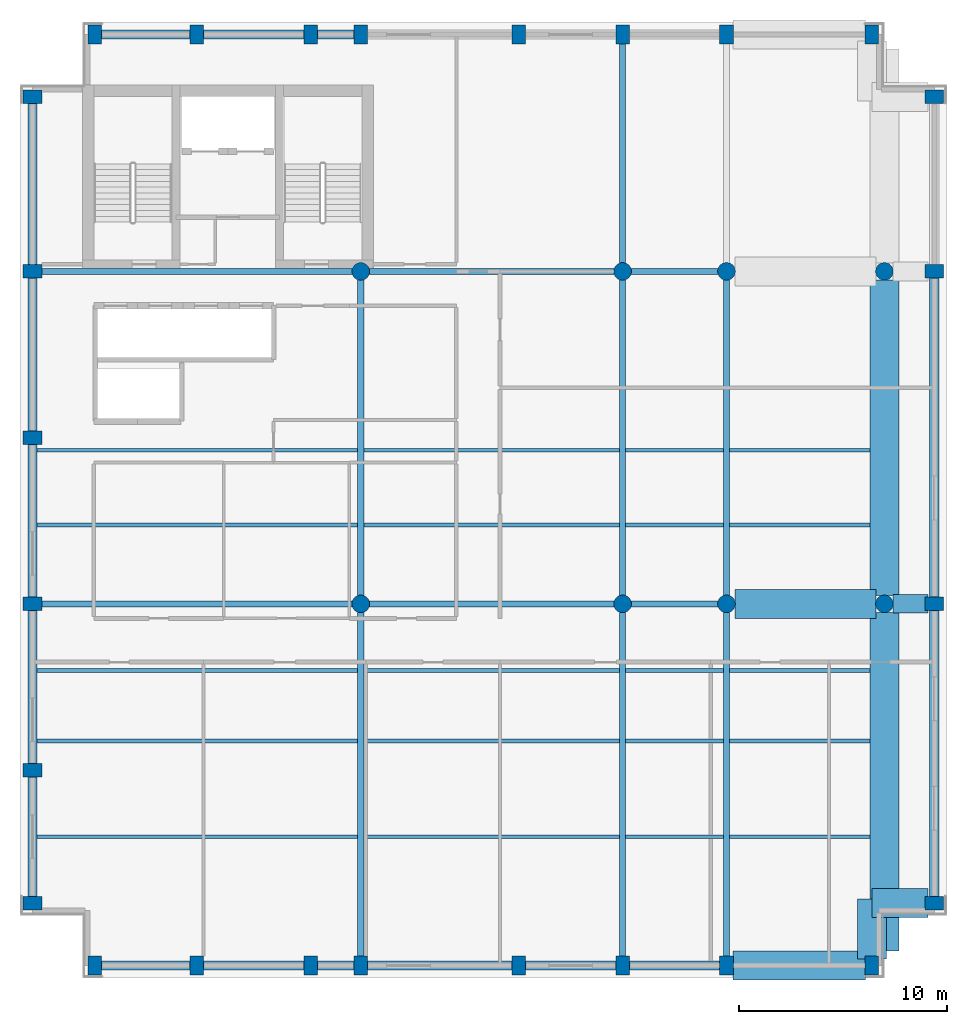
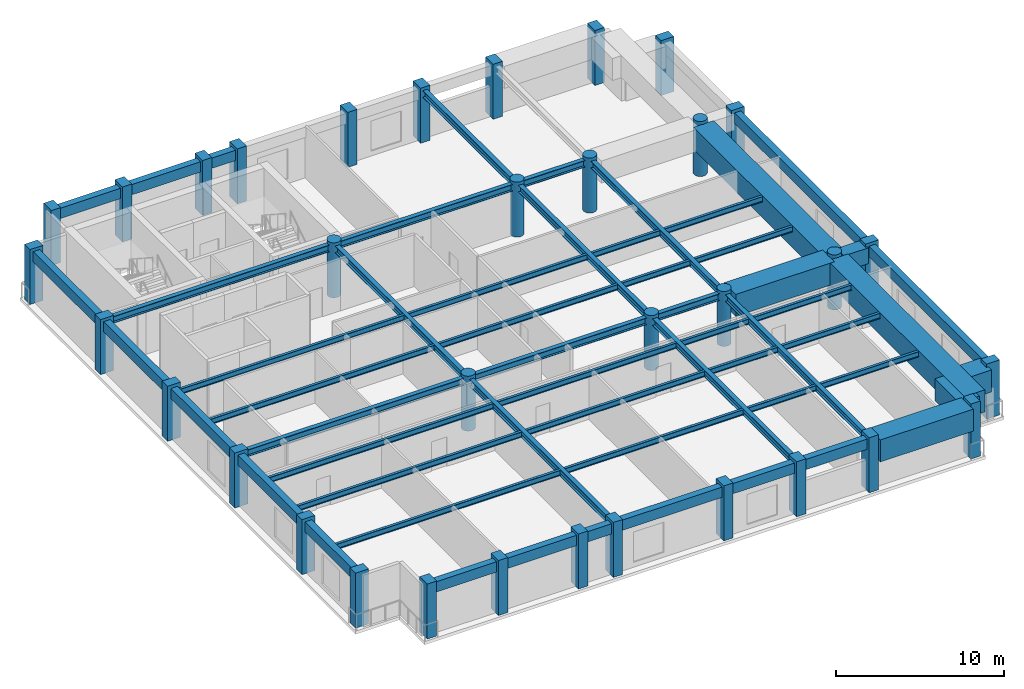
# One storey, part 1 of 8: 56 beams, 34 columns.
"""IFC4 building model written with IfcOpenShell, lengths in metres."""

from ifc_helpers import new_model, si_unit, direction, frame, origin, origin_2d, place, context, subcontext, project, spatial, rectangle, circle, i_section, extrude, material, material_profile, profile_set, type_object, element, save


model = new_model("IFC4")

# Units and contexts
model_context = context("Model", 3, precision=1e-05, world=origin(), true_north=direction((0.0, 1.0)))
body_context = subcontext(model_context, "Body", "Model", "MODEL_VIEW")
ifc_project = project(units=[si_unit("LENGTHUNIT", "METRE"), si_unit("AREAUNIT", "SQUARE_METRE"), si_unit("VOLUMEUNIT", "CUBIC_METRE"), si_unit("PLANEANGLEUNIT", "RADIAN"), si_unit("MASSUNIT", "GRAM", prefix="KILO")], contexts=[model_context])

# Site, building, storey
site_placement = place(None, origin())
site = spatial("IfcSite", under=ifc_project, at=site_placement, CompositionType="ELEMENT")
building_placement = place(site_placement, origin())
building = spatial("IfcBuilding", under=site, at=building_placement, Name="Sulina Concourse Tower", CompositionType="ELEMENT")
storey_placement = place(building_placement, frame((0.0, 0.0, 293.0)))
storey = spatial("IfcBuildingStorey", under=building, at=storey_placement, Name="L71", CompositionType="ELEMENT", Elevation=293.0)

# Columns
ifc_material_1 = material(Name="Precast concrete C50/60", Category="concrete")
ifc_material_profile_1 = material_profile(ifc_material_1, rectangle(XDim=0.64990234375, YDim=0.89990234375, at=origin_2d()), Name="PC 650x900")
ifc_profile_set_1 = profile_set([ifc_material_profile_1], Name="Precast concrete C50/60")
column_type_1 = type_object("IfcColumnType", Name="Precast Stepped Crown Pier 650x900", PredefinedType="COLUMN", material=ifc_profile_set_1)
for number, where, z_axis, x_axis, name in (
    (1, (3.60009765625, 0.60009765625, 0.0), (0.0, 0.0, 1.0), (1.0, 0.0, 0.0), "L71 structural column TP-S-36"),
    (2, (3.60009765625, 45.39990234375, 0.0), (0.0, 0.0, 1.0), (1.0, 0.0, 0.0), "L71 structural column TP-N-36"),
    (3, (8.5, 0.60009765625, 0.0), (0.0, 0.0, 1.0), (1.0, 0.0, 0.0), "L71 structural column TP-S-85"),
    (4, (8.5, 45.39990234375, 0.0), (0.0, 0.0, 1.0), (1.0, 0.0, 0.0), "L71 structural column TP-N-85"),
    (5, (14.0, 0.60009765625, 0.0), (0.0, 0.0, 1.0), (1.0, 0.0, 0.0), "L71 structural column TP-S-140"),
    (6, (14.0, 45.39990234375, 0.0), (0.0, 0.0, 1.0), (1.0, 0.0, 0.0), "L71 structural column TP-N-140"),
    (7, (16.39990234375, 0.60009765625, 0.0), (0.0, 0.0, 1.0), (1.0, 0.0, 0.0), "L71 structural column TP-S-164"),
    (8, (16.39990234375, 45.39990234375, 0.0), (0.0, 0.0, 1.0), (1.0, 0.0, 0.0), "L71 structural column TP-N-164"),
    (9, (24.0, 0.60009765625, 0.0), (0.0, 0.0, 1.0), (1.0, 0.0, 0.0), "L71 structural column TP-S-240"),
    (10, (24.0, 45.39990234375, 0.0), (0.0, 0.0, 1.0), (1.0, 0.0, 0.0), "L71 structural column TP-N-240"),
    (11, (29.0, 0.60009765625, 0.0), (0.0, 0.0, 1.0), (1.0, 0.0, 0.0), "L71 structural column TP-S-290"),
    (12, (29.0, 45.39990234375, 0.0), (0.0, 0.0, 1.0), (1.0, 0.0, 0.0), "L71 structural column TP-N-290"),
    (13, (34.0, 0.60009765625, 0.0), (0.0, 0.0, 1.0), (1.0, 0.0, 0.0), "L71 structural column TP-S-340"),
    (14, (34.0, 45.39990234375, 0.0), (0.0, 0.0, 1.0), (1.0, 0.0, 0.0), "L71 structural column TP-N-340"),
    (15, (41.0, 0.60009765625, 0.0), (0.0, 0.0, 1.0), (1.0, 0.0, 0.0), "L71 structural column TP-SC-410"),
    (16, (41.0, 45.39990234375, 0.0), (0.0, 0.0, 1.0), (1.0, 0.0, 0.0), "L71 structural column TP-NC-410"),
    (17, (0.60009765625, 3.60009765625, 0.0), (0.0, 0.0, 1.0), (0.0, 1.0, 0.0), "L71 structural column TP-W-36"),
    (18, (44.0, 3.60009765625, 0.0), (0.0, 0.0, 1.0), (0.0, 1.0, 0.0), "L71 structural column TP-E-36"),
    (19, (0.60009765625, 10.0, 0.0), (0.0, 0.0, 1.0), (0.0, 1.0, 0.0), "L71 structural column TP-W-100"),
    (20, (0.60009765625, 18.0, 0.0), (0.0, 0.0, 1.0), (0.0, 1.0, 0.0), "L71 structural column TP-W-180"),
    (21, (44.0, 18.0, 0.0), (0.0, 0.0, 1.0), (0.0, 1.0, 0.0), "L71 structural column TP-E-180"),
    (22, (0.60009765625, 26.0, 0.0), (0.0, 0.0, 1.0), (0.0, 1.0, 0.0), "L71 structural column TP-W-260"),
    (23, (0.60009765625, 34.0, 0.0), (0.0, 0.0, 1.0), (0.0, 1.0, 0.0), "L71 structural column TP-W-340"),
    (24, (44.0, 34.0, 0.0), (0.0, 0.0, 1.0), (0.0, 1.0, 0.0), "L71 structural column TP-E-340"),
    (25, (0.60009765625, 42.39990234375, 0.0), (0.0, 0.0, 1.0), (0.0, 1.0, 0.0), "L71 structural column TP-W-424"),
    (26, (44.0, 42.39990234375, 0.0), (0.0, 0.0, 1.0), (0.0, 1.0, 0.0), "L71 structural column TP-E-424"),
):
    element("IfcColumn", number, at=place(storey_placement, frame(where, z_axis=z_axis, x_axis=x_axis)), inside=storey, type_object=column_type_1, Name=name, PredefinedType="COLUMN", context=body_context, shape_type="SweptSolid", body=[
        extrude(rectangle(XDim=0.64990234375, YDim=0.89990234375, at=origin_2d()), origin(), (0.0, 0.0, 1.0), 4.0),
    ])
ifc_material_2 = material(Name="Concrete C50/60", Category="concrete")
ifc_material_profile_2 = material_profile(ifc_material_2, circle(Radius=0.425048828125, at=origin_2d()), Name="RC D850")
ifc_profile_set_2 = profile_set([ifc_material_profile_2], Name="Concrete C50/60")
column_type_2 = type_object("IfcColumnType", Name="Upper Interior Circular Column D850", PredefinedType="COLUMN", material=ifc_profile_set_2)
for number, where, z_axis, x_axis, name in (
    (27, (16.39990234375, 18.0, 0.0), (0.0, 0.0, 1.0), (1.0, 0.0, 0.0), "L71 structural column IC-M-164"),
    (28, (16.39990234375, 34.0, 0.0), (0.0, 0.0, 1.0), (1.0, 0.0, 0.0), "L71 structural column IC-N-164"),
    (29, (29.0, 18.0, 0.0), (0.0, 0.0, 1.0), (1.0, 0.0, 0.0), "L71 structural column IC-M-290"),
    (30, (29.0, 34.0, 0.0), (0.0, 0.0, 1.0), (1.0, 0.0, 0.0), "L71 structural column IC-N-290"),
    (31, (41.60009765625, 18.0, 0.0), (0.0, 0.0, 1.0), (1.0, 0.0, 0.0), "L71 structural column IC-M-416"),
    (32, (41.60009765625, 34.0, 0.0), (0.0, 0.0, 1.0), (1.0, 0.0, 0.0), "L71 structural column IC-N-416"),
    (33, (34.0, 18.0, 0.0), (0.0, 0.0, 1.0), (1.0, 0.0, 0.0), "L71 structural column IC-M-340"),
    (34, (34.0, 34.0, 0.0), (0.0, 0.0, 1.0), (1.0, 0.0, 0.0), "L71 structural column IC-N-340"),
):
    element("IfcColumn", number, at=place(storey_placement, frame(where, z_axis=z_axis, x_axis=x_axis)), inside=storey, type_object=column_type_2, Name=name, PredefinedType="COLUMN", context=body_context, shape_type="SweptSolid", body=[
        extrude(circle(Radius=0.425048828125, at=origin_2d()), origin(), (0.0, 0.0, 1.0), 4.0),
    ])

# Beams
ifc_material_3 = material(Name="Steel S355", Category="steel")
ifc_material_profile_3 = material_profile(ifc_material_3, i_section(OverallWidth=0.300048828125, OverallDepth=0.5, WebThickness=0.014404296875, FlangeThickness=0.028076171875, at=origin_2d()), Name="HE 500 B")
ifc_profile_set_3 = profile_set([ifc_material_profile_3], Name="Steel S355")
beam_type_1 = type_object("IfcBeamType", Name="Crown & Canopy Primary Girder HE500B", PredefinedType="BEAM", material=ifc_profile_set_3)
beam_1_placement = place(storey_placement, frame((0.905029296875, 18.0, 3.52490234375), z_axis=(1.0, 0.0, 0.0), x_axis=(0.0, 1.0, 0.0)))
element("IfcBeam", 35, at=beam_1_placement, inside=storey, type_object=beam_type_1, Name="FG-EW1-L71", PredefinedType="BEAM", context=body_context, shape_type="SweptSolid", body=[
    extrude(i_section(OverallWidth=0.300048828125, OverallDepth=0.5, WebThickness=0.014404296875, FlangeThickness=0.028076171875, at=origin_2d()), origin(), (0.0, 0.0, 1.0), 15.090087890625),
])
beam_2_placement = place(storey_placement, frame((16.804931640625, 18.0, 3.52490234375), z_axis=(1.0, 0.0, 0.0), x_axis=(0.0, 1.0, 0.0)))
element("IfcBeam", 36, at=beam_2_placement, inside=storey, type_object=beam_type_1, Name="FG-EW2-L71", PredefinedType="BEAM", context=body_context, shape_type="SweptSolid", body=[
    extrude(i_section(OverallWidth=0.300048828125, OverallDepth=0.5, WebThickness=0.014404296875, FlangeThickness=0.028076171875, at=origin_2d()), origin(), (0.0, 0.0, 1.0), 11.7900390625),
])
beam_3_placement = place(storey_placement, frame((29.405029296875, 18.0, 3.52490234375), z_axis=(1.0, 0.0, 0.0), x_axis=(0.0, 1.0, 0.0)))
element("IfcBeam", 37, at=beam_3_placement, inside=storey, type_object=beam_type_1, Name="FG-EW3-L71", PredefinedType="BEAM", context=body_context, shape_type="SweptSolid", body=[
    extrude(i_section(OverallWidth=0.300048828125, OverallDepth=0.5, WebThickness=0.014404296875, FlangeThickness=0.028076171875, at=origin_2d()), origin(), (0.0, 0.0, 1.0), 4.18994140625),
])
beam_4_placement = place(storey_placement, frame((0.905029296875, 34.0, 3.52490234375), z_axis=(1.0, 0.0, 0.0), x_axis=(0.0, 1.0, 0.0)))
element("IfcBeam", 38, at=beam_4_placement, inside=storey, type_object=beam_type_1, Name="FG-EWN1-L71", PredefinedType="BEAM", context=body_context, shape_type="SweptSolid", body=[
    extrude(i_section(OverallWidth=0.300048828125, OverallDepth=0.5, WebThickness=0.014404296875, FlangeThickness=0.028076171875, at=origin_2d()), origin(), (0.0, 0.0, 1.0), 15.090087890625),
])
beam_5_placement = place(storey_placement, frame((16.804931640625, 34.0, 3.52490234375), z_axis=(1.0, 0.0, 0.0), x_axis=(0.0, 1.0, 0.0)))
element("IfcBeam", 39, at=beam_5_placement, inside=storey, type_object=beam_type_1, Name="FG-EWN2-L71", PredefinedType="BEAM", context=body_context, shape_type="SweptSolid", body=[
    extrude(i_section(OverallWidth=0.300048828125, OverallDepth=0.5, WebThickness=0.014404296875, FlangeThickness=0.028076171875, at=origin_2d()), origin(), (0.0, 0.0, 1.0), 11.7900390625),
])
beam_6_placement = place(storey_placement, frame((29.405029296875, 34.0, 3.52490234375), z_axis=(1.0, 0.0, 0.0), x_axis=(0.0, 1.0, 0.0)))
element("IfcBeam", 40, at=beam_6_placement, inside=storey, type_object=beam_type_1, Name="FG-EWN3-L71", PredefinedType="BEAM", context=body_context, shape_type="SweptSolid", body=[
    extrude(i_section(OverallWidth=0.300048828125, OverallDepth=0.5, WebThickness=0.014404296875, FlangeThickness=0.028076171875, at=origin_2d()), origin(), (0.0, 0.0, 1.0), 4.18994140625),
])
beam_7_placement = place(storey_placement, frame((16.39990234375, 0.905029296875, 3.52490234375), z_axis=(0.0, 1.0, 0.0), x_axis=(-1.0, 0.0, 0.0)))
element("IfcBeam", 41, at=beam_7_placement, inside=storey, type_object=beam_type_1, Name="FG-NSA-16-L71", PredefinedType="BEAM", context=body_context, shape_type="SweptSolid", body=[
    extrude(i_section(OverallWidth=0.300048828125, OverallDepth=0.5, WebThickness=0.014404296875, FlangeThickness=0.028076171875, at=origin_2d()), origin(), (0.0, 0.0, 1.0), 16.68994140625),
])
beam_8_placement = place(storey_placement, frame((16.39990234375, 18.405029296875, 3.52490234375), z_axis=(0.0, 1.0, 0.0), x_axis=(-1.0, 0.0, 0.0)))
element("IfcBeam", 42, at=beam_8_placement, inside=storey, type_object=beam_type_1, Name="FG-NSB-16-L71", PredefinedType="BEAM", context=body_context, shape_type="SweptSolid", body=[
    extrude(i_section(OverallWidth=0.300048828125, OverallDepth=0.5, WebThickness=0.014404296875, FlangeThickness=0.028076171875, at=origin_2d()), origin(), (0.0, 0.0, 1.0), 15.18994140625),
])
beam_9_placement = place(storey_placement, frame((29.0, 0.905029296875, 3.52490234375), z_axis=(0.0, 1.0, 0.0), x_axis=(-1.0, 0.0, 0.0)))
element("IfcBeam", 43, at=beam_9_placement, inside=storey, type_object=beam_type_1, Name="FG-NSA-29-L71", PredefinedType="BEAM", context=body_context, shape_type="SweptSolid", body=[
    extrude(i_section(OverallWidth=0.300048828125, OverallDepth=0.5, WebThickness=0.014404296875, FlangeThickness=0.028076171875, at=origin_2d()), origin(), (0.0, 0.0, 1.0), 16.68994140625),
])
beam_10_placement = place(storey_placement, frame((29.0, 18.405029296875, 3.52490234375), z_axis=(0.0, 1.0, 0.0), x_axis=(-1.0, 0.0, 0.0)))
element("IfcBeam", 44, at=beam_10_placement, inside=storey, type_object=beam_type_1, Name="FG-NSB-29-L71", PredefinedType="BEAM", context=body_context, shape_type="SweptSolid", body=[
    extrude(i_section(OverallWidth=0.300048828125, OverallDepth=0.5, WebThickness=0.014404296875, FlangeThickness=0.028076171875, at=origin_2d()), origin(), (0.0, 0.0, 1.0), 15.18994140625),
])
beam_11_placement = place(storey_placement, frame((29.0, 34.405029296875, 3.52490234375), z_axis=(0.0, 1.0, 0.0), x_axis=(-1.0, 0.0, 0.0)))
element("IfcBeam", 45, at=beam_11_placement, inside=storey, type_object=beam_type_1, Name="FG-NSC-29-L71", PredefinedType="BEAM", context=body_context, shape_type="SweptSolid", body=[
    extrude(i_section(OverallWidth=0.300048828125, OverallDepth=0.5, WebThickness=0.014404296875, FlangeThickness=0.028076171875, at=origin_2d()), origin(), (0.0, 0.0, 1.0), 10.68994140625),
])
beam_12_placement = place(storey_placement, frame((34.0, 0.905029296875, 3.52490234375), z_axis=(0.0, 1.0, 0.0), x_axis=(-1.0, 0.0, 0.0)))
element("IfcBeam", 46, at=beam_12_placement, inside=storey, type_object=beam_type_1, Name="FG-NSA-34-L71", PredefinedType="BEAM", context=body_context, shape_type="SweptSolid", body=[
    extrude(i_section(OverallWidth=0.300048828125, OverallDepth=0.5, WebThickness=0.014404296875, FlangeThickness=0.028076171875, at=origin_2d()), origin(), (0.0, 0.0, 1.0), 16.68994140625),
])
beam_13_placement = place(storey_placement, frame((34.0, 18.405029296875, 3.52490234375), z_axis=(0.0, 1.0, 0.0), x_axis=(-1.0, 0.0, 0.0)))
element("IfcBeam", 47, at=beam_13_placement, inside=storey, type_object=beam_type_1, Name="FG-NSB-34-L71", PredefinedType="BEAM", context=body_context, shape_type="SweptSolid", body=[
    extrude(i_section(OverallWidth=0.300048828125, OverallDepth=0.5, WebThickness=0.014404296875, FlangeThickness=0.028076171875, at=origin_2d()), origin(), (0.0, 0.0, 1.0), 15.18994140625),
])
ifc_material_4 = material(Name="Steel S355", Category="steel")
ifc_material_profile_4 = material_profile(ifc_material_4, i_section(OverallWidth=0.179931640625, OverallDepth=0.39990234375, WebThickness=0.008544921875, FlangeThickness=0.013427734375, at=origin_2d()), Name="IPE 400")
ifc_profile_set_4 = profile_set([ifc_material_profile_4], Name="Steel S355")
beam_type_2 = type_object("IfcBeamType", Name="Crown & Terrace Joist IPE400", PredefinedType="JOIST", material=ifc_profile_set_4)
beam_14_placement = place(storey_placement, frame((0.824951171875, 6.800048828125, 3.574951171875), z_axis=(1.0, 0.0, 0.0), x_axis=(0.0, 1.0, 0.0)))
element("IfcBeam", 48, at=beam_14_placement, inside=storey, type_object=beam_type_2, Name="FJ-J06-1-L71", PredefinedType="JOIST", context=body_context, shape_type="SweptSolid", body=[
    extrude(i_section(OverallWidth=0.179931640625, OverallDepth=0.39990234375, WebThickness=0.008544921875, FlangeThickness=0.013427734375, at=origin_2d()), origin(), (0.0, 0.0, 1.0), 15.425048828125),
])
beam_15_placement = place(storey_placement, frame((16.550048828125, 6.800048828125, 3.574951171875), z_axis=(1.0, 0.0, 0.0), x_axis=(0.0, 1.0, 0.0)))
element("IfcBeam", 49, at=beam_15_placement, inside=storey, type_object=beam_type_2, Name="FJ-J06-2-L71", PredefinedType="JOIST", context=body_context, shape_type="SweptSolid", body=[
    extrude(i_section(OverallWidth=0.179931640625, OverallDepth=0.39990234375, WebThickness=0.008544921875, FlangeThickness=0.013427734375, at=origin_2d()), origin(), (0.0, 0.0, 1.0), 12.300048828125),
])
beam_16_placement = place(storey_placement, frame((29.14990234375, 6.800048828125, 3.574951171875), z_axis=(1.0, 0.0, 0.0), x_axis=(0.0, 1.0, 0.0)))
element("IfcBeam", 50, at=beam_16_placement, inside=storey, type_object=beam_type_2, Name="FJ-J06-3-L71", PredefinedType="JOIST", context=body_context, shape_type="SweptSolid", body=[
    extrude(i_section(OverallWidth=0.179931640625, OverallDepth=0.39990234375, WebThickness=0.008544921875, FlangeThickness=0.013427734375, at=origin_2d()), origin(), (0.0, 0.0, 1.0), 4.7001953125),
])
beam_17_placement = place(storey_placement, frame((34.14990234375, 6.800048828125, 3.574951171875), z_axis=(1.0, 0.0, 0.0), x_axis=(0.0, 1.0, 0.0)))
element("IfcBeam", 51, at=beam_17_placement, inside=storey, type_object=beam_type_2, Name="FJ-J06-4-L71", PredefinedType="JOIST", context=body_context, shape_type="SweptSolid", body=[
    extrude(i_section(OverallWidth=0.179931640625, OverallDepth=0.39990234375, WebThickness=0.008544921875, FlangeThickness=0.013427734375, at=origin_2d()), origin(), (0.0, 0.0, 1.0), 6.75),
])
beam_18_placement = place(storey_placement, frame((0.824951171875, 11.39990234375, 3.574951171875), z_axis=(1.0, 0.0, 0.0), x_axis=(0.0, 1.0, 0.0)))
element("IfcBeam", 52, at=beam_18_placement, inside=storey, type_object=beam_type_2, Name="FJ-J11-1-L71", PredefinedType="JOIST", context=body_context, shape_type="SweptSolid", body=[
    extrude(i_section(OverallWidth=0.179931640625, OverallDepth=0.39990234375, WebThickness=0.008544921875, FlangeThickness=0.013427734375, at=origin_2d()), origin(), (0.0, 0.0, 1.0), 15.425048828125),
])
beam_19_placement = place(storey_placement, frame((16.550048828125, 11.39990234375, 3.574951171875), z_axis=(1.0, 0.0, 0.0), x_axis=(0.0, 1.0, 0.0)))
element("IfcBeam", 53, at=beam_19_placement, inside=storey, type_object=beam_type_2, Name="FJ-J11-2-L71", PredefinedType="JOIST", context=body_context, shape_type="SweptSolid", body=[
    extrude(i_section(OverallWidth=0.179931640625, OverallDepth=0.39990234375, WebThickness=0.008544921875, FlangeThickness=0.013427734375, at=origin_2d()), origin(), (0.0, 0.0, 1.0), 12.300048828125),
])
beam_20_placement = place(storey_placement, frame((29.14990234375, 11.39990234375, 3.574951171875), z_axis=(1.0, 0.0, 0.0), x_axis=(0.0, 1.0, 0.0)))
element("IfcBeam", 54, at=beam_20_placement, inside=storey, type_object=beam_type_2, Name="FJ-J11-3-L71", PredefinedType="JOIST", context=body_context, shape_type="SweptSolid", body=[
    extrude(i_section(OverallWidth=0.179931640625, OverallDepth=0.39990234375, WebThickness=0.008544921875, FlangeThickness=0.013427734375, at=origin_2d()), origin(), (0.0, 0.0, 1.0), 4.7001953125),
])
beam_21_placement = place(storey_placement, frame((34.14990234375, 11.39990234375, 3.574951171875), z_axis=(1.0, 0.0, 0.0), x_axis=(0.0, 1.0, 0.0)))
element("IfcBeam", 55, at=beam_21_placement, inside=storey, type_object=beam_type_2, Name="FJ-J11-4-L71", PredefinedType="JOIST", context=body_context, shape_type="SweptSolid", body=[
    extrude(i_section(OverallWidth=0.179931640625, OverallDepth=0.39990234375, WebThickness=0.008544921875, FlangeThickness=0.013427734375, at=origin_2d()), origin(), (0.0, 0.0, 1.0), 6.75),
])
beam_22_placement = place(storey_placement, frame((0.824951171875, 14.800048828125, 3.574951171875), z_axis=(1.0, 0.0, 0.0), x_axis=(0.0, 1.0, 0.0)))
element("IfcBeam", 56, at=beam_22_placement, inside=storey, type_object=beam_type_2, Name="FJ-J15-1-L71", PredefinedType="JOIST", context=body_context, shape_type="SweptSolid", body=[
    extrude(i_section(OverallWidth=0.179931640625, OverallDepth=0.39990234375, WebThickness=0.008544921875, FlangeThickness=0.013427734375, at=origin_2d()), origin(), (0.0, 0.0, 1.0), 15.425048828125),
])
beam_23_placement = place(storey_placement, frame((16.550048828125, 14.800048828125, 3.574951171875), z_axis=(1.0, 0.0, 0.0), x_axis=(0.0, 1.0, 0.0)))
element("IfcBeam", 57, at=beam_23_placement, inside=storey, type_object=beam_type_2, Name="FJ-J15-2-L71", PredefinedType="JOIST", context=body_context, shape_type="SweptSolid", body=[
    extrude(i_section(OverallWidth=0.179931640625, OverallDepth=0.39990234375, WebThickness=0.008544921875, FlangeThickness=0.013427734375, at=origin_2d()), origin(), (0.0, 0.0, 1.0), 12.300048828125),
])
beam_24_placement = place(storey_placement, frame((29.14990234375, 14.800048828125, 3.574951171875), z_axis=(1.0, 0.0, 0.0), x_axis=(0.0, 1.0, 0.0)))
element("IfcBeam", 58, at=beam_24_placement, inside=storey, type_object=beam_type_2, Name="FJ-J15-3-L71", PredefinedType="JOIST", context=body_context, shape_type="SweptSolid", body=[
    extrude(i_section(OverallWidth=0.179931640625, OverallDepth=0.39990234375, WebThickness=0.008544921875, FlangeThickness=0.013427734375, at=origin_2d()), origin(), (0.0, 0.0, 1.0), 4.7001953125),
])
beam_25_placement = place(storey_placement, frame((34.14990234375, 14.800048828125, 3.574951171875), z_axis=(1.0, 0.0, 0.0), x_axis=(0.0, 1.0, 0.0)))
element("IfcBeam", 59, at=beam_25_placement, inside=storey, type_object=beam_type_2, Name="FJ-J15-4-L71", PredefinedType="JOIST", context=body_context, shape_type="SweptSolid", body=[
    extrude(i_section(OverallWidth=0.179931640625, OverallDepth=0.39990234375, WebThickness=0.008544921875, FlangeThickness=0.013427734375, at=origin_2d()), origin(), (0.0, 0.0, 1.0), 6.75),
])
beam_26_placement = place(storey_placement, frame((0.824951171875, 21.800048828125, 3.574951171875), z_axis=(1.0, 0.0, 0.0), x_axis=(0.0, 1.0, 0.0)))
element("IfcBeam", 60, at=beam_26_placement, inside=storey, type_object=beam_type_2, Name="FJ-J22-1-L71", PredefinedType="JOIST", context=body_context, shape_type="SweptSolid", body=[
    extrude(i_section(OverallWidth=0.179931640625, OverallDepth=0.39990234375, WebThickness=0.008544921875, FlangeThickness=0.013427734375, at=origin_2d()), origin(), (0.0, 0.0, 1.0), 15.425048828125),
])
beam_27_placement = place(storey_placement, frame((16.550048828125, 21.800048828125, 3.574951171875), z_axis=(1.0, 0.0, 0.0), x_axis=(0.0, 1.0, 0.0)))
element("IfcBeam", 61, at=beam_27_placement, inside=storey, type_object=beam_type_2, Name="FJ-J22-2-L71", PredefinedType="JOIST", context=body_context, shape_type="SweptSolid", body=[
    extrude(i_section(OverallWidth=0.179931640625, OverallDepth=0.39990234375, WebThickness=0.008544921875, FlangeThickness=0.013427734375, at=origin_2d()), origin(), (0.0, 0.0, 1.0), 12.300048828125),
])
beam_28_placement = place(storey_placement, frame((29.14990234375, 21.800048828125, 3.574951171875), z_axis=(1.0, 0.0, 0.0), x_axis=(0.0, 1.0, 0.0)))
element("IfcBeam", 62, at=beam_28_placement, inside=storey, type_object=beam_type_2, Name="FJ-J22-3-L71", PredefinedType="JOIST", context=body_context, shape_type="SweptSolid", body=[
    extrude(i_section(OverallWidth=0.179931640625, OverallDepth=0.39990234375, WebThickness=0.008544921875, FlangeThickness=0.013427734375, at=origin_2d()), origin(), (0.0, 0.0, 1.0), 4.7001953125),
])
beam_29_placement = place(storey_placement, frame((34.14990234375, 21.800048828125, 3.574951171875), z_axis=(1.0, 0.0, 0.0), x_axis=(0.0, 1.0, 0.0)))
element("IfcBeam", 63, at=beam_29_placement, inside=storey, type_object=beam_type_2, Name="FJ-J22-4-L71", PredefinedType="JOIST", context=body_context, shape_type="SweptSolid", body=[
    extrude(i_section(OverallWidth=0.179931640625, OverallDepth=0.39990234375, WebThickness=0.008544921875, FlangeThickness=0.013427734375, at=origin_2d()), origin(), (0.0, 0.0, 1.0), 6.75),
])
beam_30_placement = place(storey_placement, frame((0.824951171875, 25.39990234375, 3.574951171875), z_axis=(1.0, 0.0, 0.0), x_axis=(0.0, 1.0, 0.0)))
element("IfcBeam", 64, at=beam_30_placement, inside=storey, type_object=beam_type_2, Name="FJ-J25-1-L71", PredefinedType="JOIST", context=body_context, shape_type="SweptSolid", body=[
    extrude(i_section(OverallWidth=0.179931640625, OverallDepth=0.39990234375, WebThickness=0.008544921875, FlangeThickness=0.013427734375, at=origin_2d()), origin(), (0.0, 0.0, 1.0), 15.425048828125),
])
beam_31_placement = place(storey_placement, frame((16.550048828125, 25.39990234375, 3.574951171875), z_axis=(1.0, 0.0, 0.0), x_axis=(0.0, 1.0, 0.0)))
element("IfcBeam", 65, at=beam_31_placement, inside=storey, type_object=beam_type_2, Name="FJ-J25-2-L71", PredefinedType="JOIST", context=body_context, shape_type="SweptSolid", body=[
    extrude(i_section(OverallWidth=0.179931640625, OverallDepth=0.39990234375, WebThickness=0.008544921875, FlangeThickness=0.013427734375, at=origin_2d()), origin(), (0.0, 0.0, 1.0), 12.300048828125),
])
beam_32_placement = place(storey_placement, frame((29.14990234375, 25.39990234375, 3.574951171875), z_axis=(1.0, 0.0, 0.0), x_axis=(0.0, 1.0, 0.0)))
element("IfcBeam", 66, at=beam_32_placement, inside=storey, type_object=beam_type_2, Name="FJ-J25-3-L71", PredefinedType="JOIST", context=body_context, shape_type="SweptSolid", body=[
    extrude(i_section(OverallWidth=0.179931640625, OverallDepth=0.39990234375, WebThickness=0.008544921875, FlangeThickness=0.013427734375, at=origin_2d()), origin(), (0.0, 0.0, 1.0), 4.7001953125),
])
beam_33_placement = place(storey_placement, frame((34.14990234375, 25.39990234375, 3.574951171875), z_axis=(1.0, 0.0, 0.0), x_axis=(0.0, 1.0, 0.0)))
element("IfcBeam", 67, at=beam_33_placement, inside=storey, type_object=beam_type_2, Name="FJ-J25-4-L71", PredefinedType="JOIST", context=body_context, shape_type="SweptSolid", body=[
    extrude(i_section(OverallWidth=0.179931640625, OverallDepth=0.39990234375, WebThickness=0.008544921875, FlangeThickness=0.013427734375, at=origin_2d()), origin(), (0.0, 0.0, 1.0), 6.75),
])
ifc_material_5 = material(Name="Concrete C60/75", Category="concrete")
ifc_material_profile_5 = material_profile(ifc_material_5, rectangle(XDim=1.39990234375, YDim=1.60009765625, at=origin_2d()), Name="RC 1400x1600")
ifc_profile_set_5 = profile_set([ifc_material_profile_5], Name="Concrete C60/75")
beam_type_3 = type_object("IfcBeamType", Name="Perimeter & Step Transfer Girder 1400x1600", PredefinedType="BEAM", material=ifc_profile_set_5)
beam_34_placement = place(storey_placement, frame((34.304931640625, 0.60009765625, 2.97509765625), z_axis=(1.0, 0.0, 0.0), x_axis=(0.0, 1.0, 0.0)))
element("IfcBeam", 68, at=beam_34_placement, inside=storey, type_object=beam_type_3, Name="TG-CSTEP-S7-L71", PredefinedType="BEAM", context=body_context, shape_type="SweptSolid", body=[
    extrude(rectangle(XDim=1.39990234375, YDim=1.60009765625, at=origin_2d()), origin(), (0.0, 0.0, 1.0), 6.39013671875),
])
beam_35_placement = place(storey_placement, frame((41.0, 3.60009765625, 2.965087890625), z_axis=(1.0, 0.0, 0.0), x_axis=(0.0, 1.0, 0.0)))
element("IfcBeam", 69, at=beam_35_placement, inside=storey, type_object=beam_type_3, Name="TIE-SE-L71", PredefinedType="BEAM", context=body_context, shape_type="SweptSolid", body=[
    extrude(rectangle(XDim=1.39990234375, YDim=1.60009765625, at=origin_2d()), origin(), (0.0, 0.0, 1.0), 2.695068359375),
])
beam_36_placement = place(storey_placement, frame((41.0, 0.905029296875, 2.965087890625), z_axis=(0.0, 1.0, 0.0), x_axis=(-1.0, 0.0, 0.0)))
element("IfcBeam", 70, at=beam_36_placement, inside=storey, type_object=beam_type_3, Name="TIE-SES-L71", PredefinedType="BEAM", context=body_context, shape_type="SweptSolid", body=[
    extrude(rectangle(XDim=1.39990234375, YDim=1.60009765625, at=origin_2d()), origin(), (0.0, 0.0, 1.0), 2.89501953125),
])
beam_37_placement = place(storey_placement, frame((34.405029296875, 18.0, 2.97509765625), z_axis=(1.0, 0.0, 0.0), x_axis=(0.0, 1.0, 0.0)))
element("IfcBeam", 71, at=beam_37_placement, inside=storey, type_object=beam_type_3, Name="TG-EW-M4-L71", PredefinedType="BEAM", context=body_context, shape_type="SweptSolid", body=[
    extrude(rectangle(XDim=1.39990234375, YDim=1.60009765625, at=origin_2d()), origin(), (0.0, 0.0, 1.0), 6.7900390625),
])
beam_38_placement = place(storey_placement, frame((41.60009765625, 18.405029296875, 2.97509765625), z_axis=(0.0, 1.0, 0.0), x_axis=(-1.0, 0.0, 0.0)))
element("IfcBeam", 72, at=beam_38_placement, inside=storey, type_object=beam_type_3, Name="FG-NSB-41-L71", PredefinedType="BEAM", context=body_context, shape_type="SweptSolid", body=[
    extrude(rectangle(XDim=1.39990234375, YDim=1.60009765625, at=origin_2d()), origin(), (0.0, 0.0, 1.0), 15.18994140625),
])
beam_39_placement = place(storey_placement, frame((41.60009765625, 1.300048828125, 2.97509765625), z_axis=(0.0, 1.0, 0.0), x_axis=(-1.0, 0.0, 0.0)))
element("IfcBeam", 73, at=beam_39_placement, inside=storey, type_object=beam_type_3, Name="TG-NS-S-41-L71", PredefinedType="BEAM", context=body_context, shape_type="SweptSolid", body=[
    extrude(rectangle(XDim=1.39990234375, YDim=1.60009765625, at=origin_2d()), origin(), (0.0, 0.0, 1.0), 16.294921875),
])
ifc_material_6 = material(Name="Concrete C60/75", Category="concrete")
ifc_material_profile_6 = material_profile(ifc_material_6, rectangle(XDim=0.89990234375, YDim=1.14990234375, at=origin_2d()), Name="RC 900x1150")
ifc_profile_set_6 = profile_set([ifc_material_profile_6], Name="Concrete C60/75")
beam_type_4 = type_object("IfcBeamType", Name="Short-Span Step Transfer Beam 900x1150", PredefinedType="BEAM", material=ifc_profile_set_6)
beam_40_placement = place(storey_placement, frame((42.0048828125, 18.0, 3.18994140625), z_axis=(1.0, 0.0, 0.0), x_axis=(0.0, 1.0, 0.0)))
element("IfcBeam", 74, at=beam_40_placement, inside=storey, type_object=beam_type_4, Name="TG-EW-M5-L71", PredefinedType="BEAM", context=body_context, shape_type="SweptSolid", body=[
    extrude(rectangle(XDim=0.89990234375, YDim=1.14990234375, at=origin_2d()), origin(), (0.0, 0.0, 1.0), 1.690185546875),
])
ifc_material_7 = material(Name="Precast concrete C50/60", Category="concrete")
ifc_material_profile_7 = material_profile(ifc_material_7, rectangle(XDim=0.449951171875, YDim=0.75, at=origin_2d()), Name="RC 450x750")
ifc_profile_set_7 = profile_set([ifc_material_profile_7], Name="Precast concrete C50/60")
beam_type_5 = type_object("IfcBeamType", Name="Upper Precast Spandrel Edge Beam 450x750", PredefinedType="BEAM", material=ifc_profile_set_7)
beam_41_placement = place(storey_placement, frame((3.905029296875, 0.60009765625, 3.39990234375), z_axis=(1.0, 0.0, 0.0), x_axis=(0.0, 1.0, 0.0)))
element("IfcBeam", 75, at=beam_41_placement, inside=storey, type_object=beam_type_5, Name="SP-S1-L71", PredefinedType="BEAM", context=body_context, shape_type="SweptSolid", body=[
    extrude(rectangle(XDim=0.449951171875, YDim=0.75, at=origin_2d()), origin(), (0.0, 0.0, 1.0), 4.2900390625),
])
beam_42_placement = place(storey_placement, frame((8.804931640625, 0.60009765625, 3.39990234375), z_axis=(1.0, 0.0, 0.0), x_axis=(0.0, 1.0, 0.0)))
element("IfcBeam", 76, at=beam_42_placement, inside=storey, type_object=beam_type_5, Name="SP-S2-L71", PredefinedType="BEAM", context=body_context, shape_type="SweptSolid", body=[
    extrude(rectangle(XDim=0.449951171875, YDim=0.75, at=origin_2d()), origin(), (0.0, 0.0, 1.0), 4.89013671875),
])
beam_43_placement = place(storey_placement, frame((14.304931640625, 0.60009765625, 3.39990234375), z_axis=(1.0, 0.0, 0.0), x_axis=(0.0, 1.0, 0.0)))
element("IfcBeam", 77, at=beam_43_placement, inside=storey, type_object=beam_type_5, Name="SP-S3-L71", PredefinedType="BEAM", context=body_context, shape_type="SweptSolid", body=[
    extrude(rectangle(XDim=0.449951171875, YDim=0.75, at=origin_2d()), origin(), (0.0, 0.0, 1.0), 1.7900390625),
])
beam_44_placement = place(storey_placement, frame((16.705078125, 0.60009765625, 3.39990234375), z_axis=(1.0, 0.0, 0.0), x_axis=(0.0, 1.0, 0.0)))
element("IfcBeam", 78, at=beam_44_placement, inside=storey, type_object=beam_type_5, Name="SP-S4-L71", PredefinedType="BEAM", context=body_context, shape_type="SweptSolid", body=[
    extrude(rectangle(XDim=0.449951171875, YDim=0.75, at=origin_2d()), origin(), (0.0, 0.0, 1.0), 6.989990234375),
])
for number, where, z_axis, x_axis, name in (
    (79, (24.304931640625, 0.60009765625, 3.39990234375), (1.0, 0.0, 0.0), (0.0, 1.0, 0.0), "SP-S5-L71"),
    (80, (29.304931640625, 0.60009765625, 3.39990234375), (1.0, 0.0, 0.0), (0.0, 1.0, 0.0), "SP-S6-L71"),
):
    element("IfcBeam", number, at=place(storey_placement, frame(where, z_axis=z_axis, x_axis=x_axis)), inside=storey, type_object=beam_type_5, Name=name, PredefinedType="BEAM", context=body_context, shape_type="SweptSolid", body=[
        extrude(rectangle(XDim=0.449951171875, YDim=0.75, at=origin_2d()), origin(), (0.0, 0.0, 1.0), 4.39013671875),
    ])
beam_45_placement = place(storey_placement, frame((3.905029296875, 45.39990234375, 3.39990234375), z_axis=(1.0, 0.0, 0.0), x_axis=(0.0, 1.0, 0.0)))
element("IfcBeam", 81, at=beam_45_placement, inside=storey, type_object=beam_type_5, Name="SP-N1-L71", PredefinedType="BEAM", context=body_context, shape_type="SweptSolid", body=[
    extrude(rectangle(XDim=0.449951171875, YDim=0.75, at=origin_2d()), origin(), (0.0, 0.0, 1.0), 4.2900390625),
])
beam_46_placement = place(storey_placement, frame((8.804931640625, 45.39990234375, 3.39990234375), z_axis=(1.0, 0.0, 0.0), x_axis=(0.0, 1.0, 0.0)))
element("IfcBeam", 82, at=beam_46_placement, inside=storey, type_object=beam_type_5, Name="SP-N2-L71", PredefinedType="BEAM", context=body_context, shape_type="SweptSolid", body=[
    extrude(rectangle(XDim=0.449951171875, YDim=0.75, at=origin_2d()), origin(), (0.0, 0.0, 1.0), 4.89013671875),
])
beam_47_placement = place(storey_placement, frame((14.304931640625, 45.39990234375, 3.39990234375), z_axis=(1.0, 0.0, 0.0), x_axis=(0.0, 1.0, 0.0)))
element("IfcBeam", 83, at=beam_47_placement, inside=storey, type_object=beam_type_5, Name="SP-N3-L71", PredefinedType="BEAM", context=body_context, shape_type="SweptSolid", body=[
    extrude(rectangle(XDim=0.449951171875, YDim=0.75, at=origin_2d()), origin(), (0.0, 0.0, 1.0), 1.7900390625),
])
beam_48_placement = place(storey_placement, frame((0.60009765625, 3.905029296875, 3.39990234375), z_axis=(0.0, 1.0, 0.0), x_axis=(-1.0, 0.0, 0.0)))
element("IfcBeam", 84, at=beam_48_placement, inside=storey, type_object=beam_type_5, Name="SP-W1-L71", PredefinedType="BEAM", context=body_context, shape_type="SweptSolid", body=[
    extrude(rectangle(XDim=0.449951171875, YDim=0.75, at=origin_2d()), origin(), (0.0, 0.0, 1.0), 5.7900390625),
])
for number, where, z_axis, x_axis, name in (
    (85, (0.60009765625, 10.304931640625, 3.39990234375), (0.0, 1.0, 0.0), (-1.0, 0.0, 0.0), "SP-W2-L71"),
    (86, (0.60009765625, 18.304931640625, 3.39990234375), (0.0, 1.0, 0.0), (-1.0, 0.0, 0.0), "SP-W3-L71"),
    (87, (0.60009765625, 26.304931640625, 3.39990234375), (0.0, 1.0, 0.0), (-1.0, 0.0, 0.0), "SP-W4-L71"),
):
    element("IfcBeam", number, at=place(storey_placement, frame(where, z_axis=z_axis, x_axis=x_axis)), inside=storey, type_object=beam_type_5, Name=name, PredefinedType="BEAM", context=body_context, shape_type="SweptSolid", body=[
        extrude(rectangle(XDim=0.449951171875, YDim=0.75, at=origin_2d()), origin(), (0.0, 0.0, 1.0), 7.39013671875),
    ])
beam_49_placement = place(storey_placement, frame((0.60009765625, 34.304931640625, 3.39990234375), z_axis=(0.0, 1.0, 0.0), x_axis=(-1.0, 0.0, 0.0)))
element("IfcBeam", 88, at=beam_49_placement, inside=storey, type_object=beam_type_5, Name="SP-W5-L71", PredefinedType="BEAM", context=body_context, shape_type="SweptSolid", body=[
    extrude(rectangle(XDim=0.449951171875, YDim=0.75, at=origin_2d()), origin(), (0.0, 0.0, 1.0), 7.7900390625),
])
beam_50_placement = place(storey_placement, frame((44.0, 3.905029296875, 3.389892578125), z_axis=(0.0, 1.0, 0.0), x_axis=(-1.0, 0.0, 0.0)))
element("IfcBeam", 89, at=beam_50_placement, inside=storey, type_object=beam_type_5, Name="SP-E1-L71", PredefinedType="BEAM", context=body_context, shape_type="SweptSolid", body=[
    extrude(rectangle(XDim=0.449951171875, YDim=0.75, at=origin_2d()), origin(), (0.0, 0.0, 1.0), 13.7900390625),
])
beam_51_placement = place(storey_placement, frame((44.0, 18.304931640625, 3.389892578125), z_axis=(0.0, 1.0, 0.0), x_axis=(-1.0, 0.0, 0.0)))
element("IfcBeam", 90, at=beam_51_placement, inside=storey, type_object=beam_type_5, Name="SP-E2-L71", PredefinedType="BEAM", context=body_context, shape_type="SweptSolid", body=[
    extrude(rectangle(XDim=0.449951171875, YDim=0.75, at=origin_2d()), origin(), (0.0, 0.0, 1.0), 15.39013671875),
])

save(model, "model.ifc")
